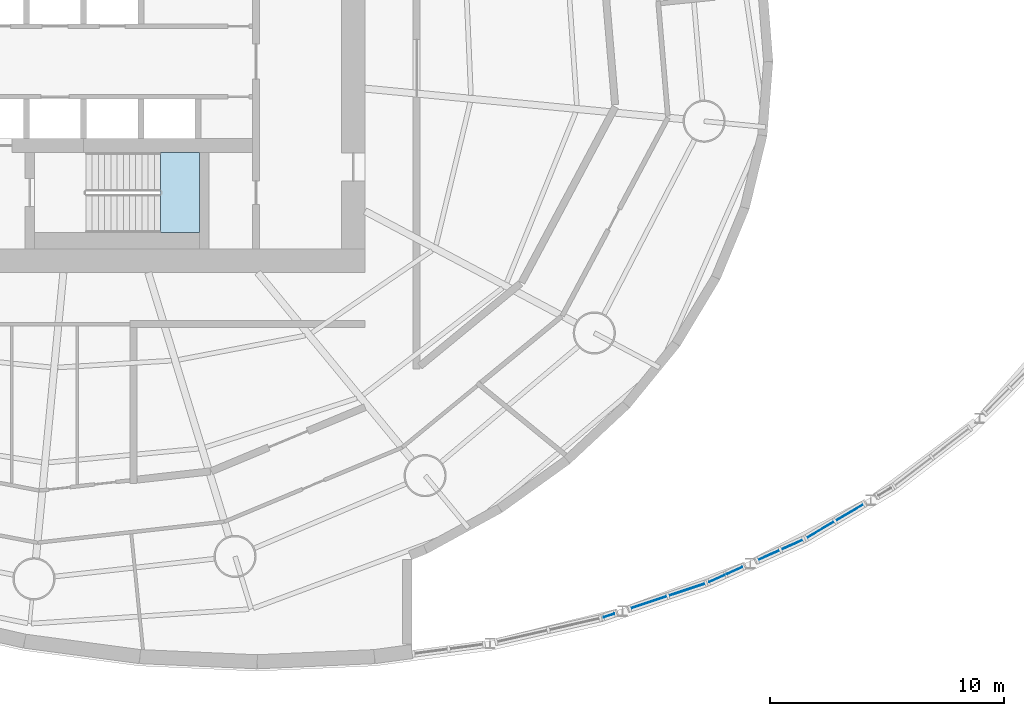
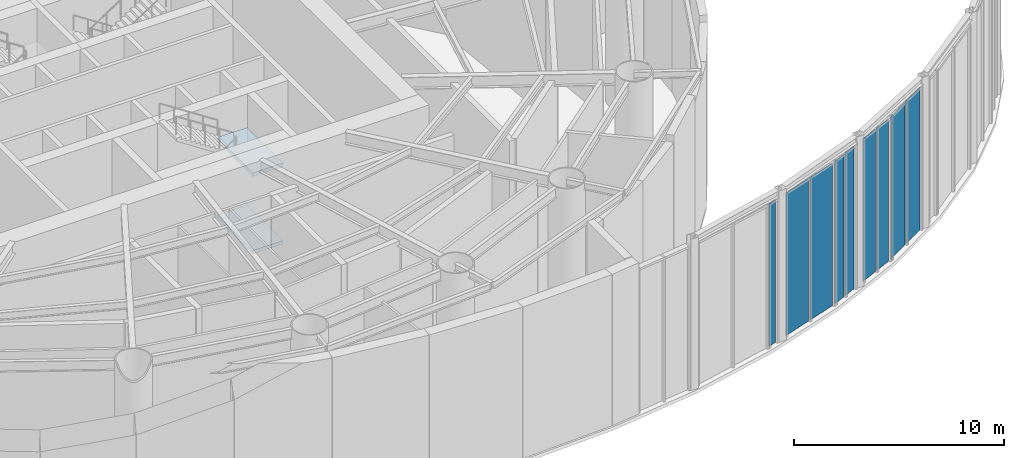
# One storey, part 10 of 19: 9 plates, 2 slabs, 6 elements without a shape of their own.
"""IFC4 building model written with IfcOpenShell, lengths in metres."""

from ifc_helpers import new_model, si_unit, direction, frame, origin, origin_2d, place, context, subcontext, project, spatial, polyline, rectangle, outline, extrude, material, layer, layer_set, type_object, element, aggregate, save


model = new_model("IFC4")

# Units and contexts
model_context = context("Model", 3, precision=1e-05, world=origin(), true_north=direction((0.0, 1.0)))
body_context = subcontext(model_context, "Body", "Model", "MODEL_VIEW")
ifc_project = project(units=[si_unit("LENGTHUNIT", "METRE"), si_unit("AREAUNIT", "SQUARE_METRE"), si_unit("VOLUMEUNIT", "CUBIC_METRE"), si_unit("PLANEANGLEUNIT", "RADIAN"), si_unit("MASSUNIT", "GRAM", prefix="KILO")], contexts=[model_context])

# Site, building, storey
site_placement = place(None, origin())
site = spatial("IfcSite", under=ifc_project, at=site_placement, CompositionType="ELEMENT")
building_placement = place(site_placement, origin())
building = spatial("IfcBuilding", under=site, at=building_placement, Name="Vermilion Reach Broadcast Tower", CompositionType="ELEMENT")
storey_placement = place(building_placement, frame((0.0, 0.0, 8.0)))
storey = spatial("IfcBuildingStorey", under=building, at=storey_placement, Name="L01", CompositionType="ELEMENT", Elevation=8.0)

# Curtain wall, plate
ifc_material_1 = material(Name="Low-e laminated clear glass in aluminium frame", Category="aluminium")
curtain_wall_type = type_object("IfcCurtainWallType", Name="Atrium outer wall curtain wall", PredefinedType="NOTDEFINED", material=ifc_material_1)
placement = place(storey_placement, origin())
curtain_wall_1 = element("IfcCurtainWall", 1, at=placement, inside=storey, type_object=curtain_wall_type, Name="Atrium wall L01 03-1", PredefinedType="NOTDEFINED")
ifc_material_2 = material(Name="Low-e laminated clear glass", Category="glass")
ifc_layer_1 = layer(ifc_material_2, 0.035888671875)
ifc_layer_set_1 = layer_set([ifc_layer_1], Name="Atrium outer wall glass panel")
plate_type = type_object("IfcPlateType", Name="Atrium outer wall glass panel", PredefinedType="CURTAIN_PANEL", material=ifc_layer_set_1)
plate_1_placement = place(storey_placement, frame((16.40771484375, -23.626708984375, 0.0), z_axis=(0.0, 0.0, 1.0), x_axis=(0.949015935462, 0.315228098746, 0.0)))
plate_1 = element("IfcPlate", 2, at=plate_1_placement, type_object=plate_type, Name="Atrium wall glass panel L01 03-1.1.1", PredefinedType="CURTAIN_PANEL", context=body_context, shape_type="SweptSolid", body=[
    extrude(rectangle(XDim=0.467529296875, YDim=0.035888671875, at=origin_2d()), origin(), (0.0, 0.0, 1.0), 8.2900390625),
])
aggregate(curtain_wall_1, [plate_1])

# Curtain wall, plates
curtain_wall_2 = element("IfcCurtainWall", 3, at=placement, inside=storey, type_object=curtain_wall_type, Name="Atrium wall L01 03-2", PredefinedType="NOTDEFINED")
plate_2_placement = place(storey_placement, frame((18.10498046875, -23.06298828125, 0.0), z_axis=(0.0, 0.0, 1.0), x_axis=(0.949015935462, 0.315228098746, 0.0)))
plate_2 = element("IfcPlate", 4, at=plate_2_placement, type_object=plate_type, Name="Atrium wall glass panel L01 03-2.1.1", PredefinedType="CURTAIN_PANEL", context=body_context, shape_type="SweptSolid", body=[
    extrude(rectangle(XDim=1.61328125, YDim=0.035888671875, at=origin_2d()), origin(), (0.0, 0.0, 1.0), 8.2900390625),
])
plate_3_placement = place(storey_placement, frame((19.73095703125, -22.52294921875, 0.0), z_axis=(0.0, 0.0, 1.0), x_axis=(0.949015935462, 0.315228098746, 0.0)))
plate_3 = element("IfcPlate", 5, at=plate_3_placement, type_object=plate_type, Name="Atrium wall glass panel L01 03-2.2.1", PredefinedType="CURTAIN_PANEL", context=body_context, shape_type="SweptSolid", body=[
    extrude(rectangle(XDim=1.61328125, YDim=0.035888671875, at=origin_2d()), origin(), (0.0, 0.0, 1.0), 8.2900390625),
])
aggregate(curtain_wall_2, [plate_2, plate_3])

curtain_wall_3 = element("IfcCurtainWall", 6, at=placement, inside=storey, type_object=curtain_wall_type, Name="Atrium wall L01 04-1", PredefinedType="NOTDEFINED")
plate_4_placement = place(storey_placement, frame((21.01171875, -22.048095703125, 0.0), z_axis=(0.0, 0.0, 1.0), x_axis=(0.911902064418, 0.410407876277, 0.0)))
plate_4 = element("IfcPlate", 7, at=plate_4_placement, type_object=plate_type, Name="Atrium wall glass panel L01 04-1.1.1", PredefinedType="CURTAIN_PANEL", context=body_context, shape_type="SweptSolid", body=[
    extrude(rectangle(XDim=0.721923828125, YDim=0.035888671875, at=origin_2d()), origin(), (0.0, 0.0, 1.0), 8.2900390625),
])
plate_5_placement = place(storey_placement, frame((21.76123046875, -21.710693359375, 0.0), z_axis=(0.0, 0.0, 1.0), x_axis=(0.911902064418, 0.410407876277, 0.0)))
plate_5 = element("IfcPlate", 8, at=plate_5_placement, type_object=plate_type, Name="Atrium wall glass panel L01 04-1.2.1", PredefinedType="CURTAIN_PANEL", context=body_context, shape_type="SweptSolid", body=[
    extrude(rectangle(XDim=0.721923828125, YDim=0.035888671875, at=origin_2d()), origin(), (0.0, 0.0, 1.0), 8.2900390625),
])
aggregate(curtain_wall_3, [plate_4, plate_5])

curtain_wall_4 = element("IfcCurtainWall", 9, at=placement, inside=storey, type_object=curtain_wall_type, Name="Atrium wall L01 04-2", PredefinedType="NOTDEFINED")
plate_6_placement = place(storey_placement, frame((23.223876953125, -21.052490234375, 0.0), z_axis=(0.0, 0.0, 1.0), x_axis=(0.911902064418, 0.410407876277, 0.0)))
plate_6 = element("IfcPlate", 10, at=plate_6_placement, type_object=plate_type, Name="Atrium wall glass panel L01 04-2.1.1", PredefinedType="CURTAIN_PANEL", context=body_context, shape_type="SweptSolid", body=[
    extrude(rectangle(XDim=0.990234375, YDim=0.035888671875, at=origin_2d()), origin(), (0.0, 0.0, 1.0), 8.2900390625),
])
plate_7_placement = place(storey_placement, frame((24.218017578125, -20.60498046875, 0.0), z_axis=(0.0, 0.0, 1.0), x_axis=(0.911902064418, 0.410407876277, 0.0)))
plate_7 = element("IfcPlate", 11, at=plate_7_placement, type_object=plate_type, Name="Atrium wall glass panel L01 04-2.2.1", PredefinedType="CURTAIN_PANEL", context=body_context, shape_type="SweptSolid", body=[
    extrude(rectangle(XDim=0.990234375, YDim=0.035888671875, at=origin_2d()), origin(), (0.0, 0.0, 1.0), 8.2900390625),
])
aggregate(curtain_wall_4, [plate_6, plate_7])

curtain_wall_5 = element("IfcCurtainWall", 12, at=placement, inside=storey, type_object=curtain_wall_type, Name="Atrium wall L01 05-1", PredefinedType="NOTDEFINED")
plate_8_placement = place(storey_placement, frame((25.42578125, -19.968017578125, 0.0), z_axis=(0.0, 0.0, 1.0), x_axis=(0.861009057017, 0.508589622127, 0.0)))
plate_8 = element("IfcPlate", 13, at=plate_8_placement, type_object=plate_type, Name="Atrium wall glass panel L01 05-1.1.1", PredefinedType="CURTAIN_PANEL", context=body_context, shape_type="SweptSolid", body=[
    extrude(rectangle(XDim=1.344970703125, YDim=0.035888671875, at=origin_2d()), origin(), (0.0, 0.0, 1.0), 8.2900390625),
])
plate_9_placement = place(storey_placement, frame((26.669677734375, -19.233154296875, 0.0), z_axis=(0.0, 0.0, 1.0), x_axis=(0.861009057017, 0.508589622127, 0.0)))
plate_9 = element("IfcPlate", 14, at=plate_9_placement, type_object=plate_type, Name="Atrium wall glass panel L01 05-1.2.1", PredefinedType="CURTAIN_PANEL", context=body_context, shape_type="SweptSolid", body=[
    extrude(rectangle(XDim=1.344970703125, YDim=0.035888671875, at=origin_2d()), origin(), (0.0, 0.0, 1.0), 8.2900390625),
])
aggregate(curtain_wall_5, [plate_8, plate_9])

# Stair, slabs
ifc_material_3 = material(Name="Concrete C40", Category="concrete")
stair_type = type_object("IfcStairType", Name="Exit stair RC 52 risers 173 mm", PredefinedType="HALF_TURN_STAIR", material=ifc_material_3)
stair = element("IfcStair", 15, at=placement, inside=storey, type_object=stair_type, Name="L01 Exit stair ST3", PredefinedType="HALF_TURN_STAIR")
ifc_material_4 = material(Name="Concrete C40", Category="concrete")
ifc_layer_2 = layer(ifc_material_4, 0.199951171875)
ifc_layer_set_2 = layer_set([ifc_layer_2], Name="Exit stair landing Concrete C40")
slab_type = type_object("IfcSlabType", Name="Exit stair landing Concrete C40", PredefinedType="LANDING", material=ifc_layer_set_2)
slab_1_placement = place(storey_placement, frame((0.0, 0.0, 2.050048828125)))
slab_1 = element("IfcSlab", 16, at=slab_1_placement, type_object=slab_type, Name="ST3 landing 1", PredefinedType="LANDING", context=body_context, shape_type="SweptSolid", body=[
    extrude(outline(polyline([(-2.719970703125, -7.300048828125), (-1.050048828125, -7.300048828125), (-1.050048828125, -3.8798828125), (-2.719970703125, -3.8798828125), (-2.719970703125, -7.300048828125)])), origin(), (0.0, 0.0, 1.0), 0.199951171875),
])
slab_2_placement = place(storey_placement, frame((0.0, 0.0, 6.550048828125)))
slab_2 = element("IfcSlab", 17, at=slab_2_placement, type_object=slab_type, Name="ST3 landing 3", PredefinedType="LANDING", context=body_context, shape_type="SweptSolid", body=[
    extrude(outline(polyline([(-2.719970703125, -7.300048828125), (-1.050048828125, -7.300048828125), (-1.050048828125, -3.8798828125), (-2.719970703125, -3.8798828125), (-2.719970703125, -7.300048828125)])), origin(), (0.0, 0.0, 1.0), 0.199951171875),
])
aggregate(stair, [slab_1, slab_2])

save(model, "model.ifc")
